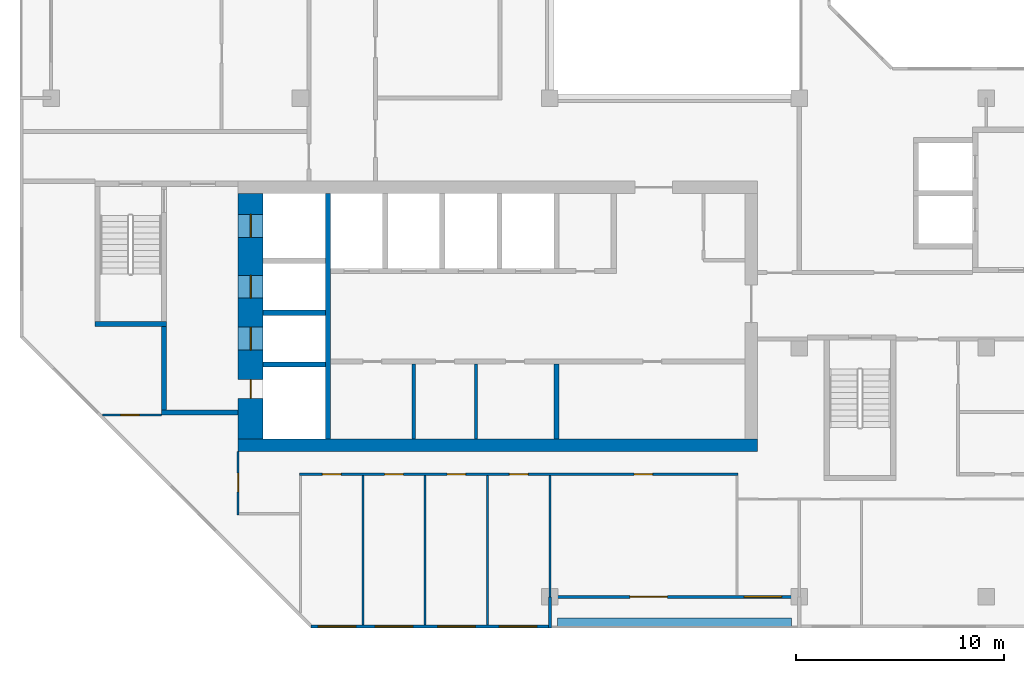
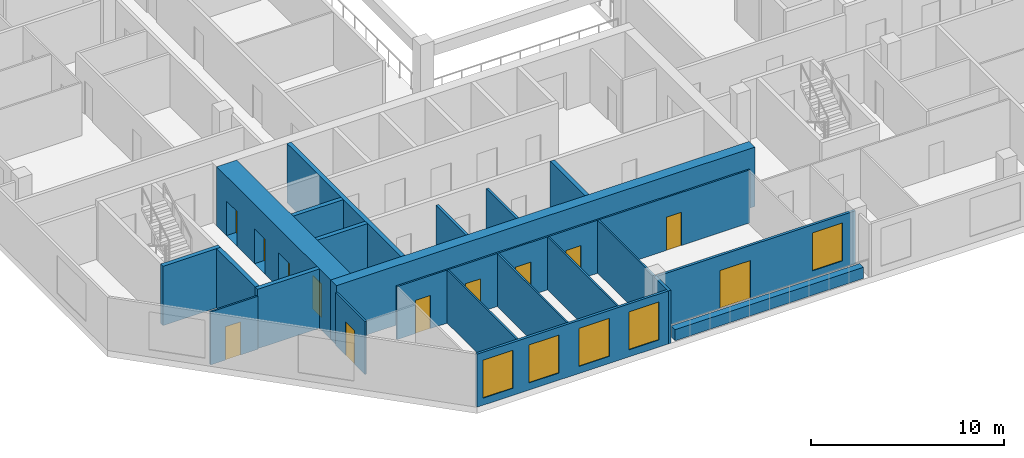
# One storey, part 4 of 13: 22 walls, 12 doors, 5 windows, 17 openings.
"""IFC4 building model written with IfcOpenShell, lengths in metres."""

from ifc_helpers import new_model, si_unit, direction, frame, frame_2d, origin, place, context, subcontext, project, spatial, rectangle, extrude, material, layer, layer_set, type_object, element, fill, save


model = new_model("IFC4")

# Units and contexts
model_context = context("Model", 3, precision=1e-05, world=origin(), true_north=direction((0.0, 1.0)))
body_context = subcontext(model_context, "Body", "Model", "MODEL_VIEW")
ifc_project = project(units=[si_unit("LENGTHUNIT", "METRE"), si_unit("AREAUNIT", "SQUARE_METRE"), si_unit("VOLUMEUNIT", "CUBIC_METRE"), si_unit("PLANEANGLEUNIT", "RADIAN"), si_unit("MASSUNIT", "GRAM", prefix="KILO")], contexts=[model_context])

# Site, building, storey
site_placement = place(None, origin())
site = spatial("IfcSite", under=ifc_project, at=site_placement, CompositionType="ELEMENT")
building_placement = place(site_placement, origin())
building = spatial("IfcBuilding", under=site, at=building_placement, Name="Chenar Terraces", CompositionType="ELEMENT")
storey_placement = place(building_placement, frame((0.0, 0.0, 277.14990234375)))
storey = spatial("IfcBuildingStorey", under=building, at=storey_placement, Name="L64", CompositionType="ELEMENT", Elevation=277.14990234375)

# Walls
ifc_material_1 = material(Name="Gypsum board on steel studs", Category="steel")
ifc_layer_1 = layer(ifc_material_1, 0.14990234375)
ifc_layer_set_1 = layer_set([ifc_layer_1], Name="Gypsum board on steel studs")
wall_type_1 = type_object("IfcWallType", Name="Core partition 150 gypsum board", PredefinedType="PARTITIONING", material=ifc_layer_set_1)
for number, where, z_axis, x_axis, name in (
    (1, (17.449951171875, 7.60009765625, 0.0), (0.0, 0.0, 1.0), (0.0, 1.0, 0.0), "Core partition CP1 freed bay wall"),
    (2, (20.449951171875, 7.60009765625, 0.0), (0.0, 0.0, 1.0), (0.0, 1.0, 0.0), "Core partition CP1 freed bay wall"),
):
    element("IfcWall", number, at=place(storey_placement, frame(where, z_axis=z_axis, x_axis=x_axis)), inside=storey, type_object=wall_type_1, Name=name, PredefinedType="PARTITIONING", context=body_context, shape_type="SweptSolid", body=[
        extrude(rectangle(XDim=3.599853515625, YDim=0.14990234375, at=frame_2d((1.7998046875, 0.0))), origin(), (0.0, 0.0, 1.0), 3.35009765625),
    ])

# Wall, openings, doors
ifc_material_2 = material(Name="Concrete C50/60", Category="concrete")
ifc_layer_2 = layer(ifc_material_2, 1.199951171875)
ifc_layer_set_2 = layer_set([ifc_layer_2], Name="Concrete C50/60")
wall_type_2 = type_object("IfcWallType", Name="Core wall 1200 Concrete C50/60", PredefinedType="SHEAR", material=ifc_layer_set_2)
wall_1_placement = place(storey_placement, frame((9.60009765625, 7.60009765625, 0.0), z_axis=(0.0, 0.0, 1.0), x_axis=(0.0, 1.0, 0.0)))
wall_1 = element("IfcWall", 3, at=wall_1_placement, inside=storey, type_object=wall_type_2, Name="Core wall W L64", PredefinedType="SHEAR", context=body_context, shape_type="SweptSolid", body=[
    extrude(rectangle(XDim=11.7998046875, YDim=1.199951171875, at=frame_2d((5.89990234375, 0.0))), origin(), (0.0, 0.0, 1.0), 3.75),
])
opening_1_placement = place(wall_1_placement, frame((4.27490234375, 0.0, 0.0)))
opening_1 = element("IfcOpeningElement", 4, at=opening_1_placement, cuts=wall_1, Name="Opening DL64-LD5", PredefinedType="OPENING", context=body_context, shape_type="SweptSolid", body=[
    extrude(rectangle(XDim=1.10009765625, YDim=2.199951171875, at=frame_2d((0.550048828125, 1.10009765625))), frame((0.0, 0.60986328125, 0.0), z_axis=(0.0, -1.0, 0.0), x_axis=(1.0, 0.0, 0.0)), (0.0, 0.0, 1.0), 1.219970703125),
])
opening_2_placement = place(wall_1_placement, frame((6.77490234375, 0.0, 0.0)))
opening_2 = element("IfcOpeningElement", 5, at=opening_2_placement, cuts=wall_1, Name="Opening DL64-LD6", PredefinedType="OPENING", context=body_context, shape_type="SweptSolid", body=[
    extrude(rectangle(XDim=1.10009765625, YDim=2.199951171875, at=frame_2d((0.550048828125, 1.10009765625))), frame((0.0, 0.60986328125, 0.0), z_axis=(0.0, -1.0, 0.0), x_axis=(1.0, 0.0, 0.0)), (0.0, 0.0, 1.0), 1.219970703125),
])
opening_3_placement = place(wall_1_placement, frame((9.699951171875, 0.0, 0.0)))
opening_3 = element("IfcOpeningElement", 6, at=opening_3_placement, cuts=wall_1, Name="Opening DL64-LD7", PredefinedType="OPENING", context=body_context, shape_type="SweptSolid", body=[
    extrude(rectangle(XDim=1.10009765625, YDim=2.199951171875, at=frame_2d((0.550048828125, 1.10009765625))), frame((0.0, 0.60986328125, 0.0), z_axis=(0.0, -1.0, 0.0), x_axis=(1.0, 0.0, 0.0)), (0.0, 0.0, 1.0), 1.219970703125),
])
opening_4_placement = place(wall_1_placement, frame((1.949951171875, 0.0, 0.0)))
opening_4 = element("IfcOpeningElement", 7, at=opening_4_placement, cuts=wall_1, Name="Opening DL64-C4", PredefinedType="OPENING", context=body_context, shape_type="SweptSolid", body=[
    extrude(rectangle(XDim=0.89990234375, YDim=2.10009765625, at=frame_2d((0.449951171875, 1.050048828125))), frame((0.0, 0.60986328125, 0.0), z_axis=(0.0, -1.0, 0.0), x_axis=(1.0, 0.0, 0.0)), (0.0, 0.0, 1.0), 1.219970703125),
])
ifc_material_3 = material(Name="Stainless steel", Category="steel")
door_type_1 = type_object("IfcDoorType", Name="Lift landing door 1100 x 2200 sliding", OperationType="DOUBLE_DOOR_SLIDING", PredefinedType="DOOR", material=ifc_material_3)
door_1_placement = place(opening_1_placement, origin())
door_1 = element("IfcDoor", 8, at=door_1_placement, inside=storey, type_object=door_type_1, Name="Landing door S1", OperationType="DOUBLE_DOOR_SLIDING", OverallHeight=2.199951171875, OverallWidth=1.10009765625, PredefinedType="DOOR", context=body_context, shape_type="SweptSolid", body=[
    extrude(rectangle(XDim=1.10009765625, YDim=2.199951171875, at=frame_2d((0.550048828125, 1.10009765625))), frame((0.0, 0.02490234375, 0.0), z_axis=(0.0, -1.0, 0.0), x_axis=(1.0, 0.0, 0.0)), (0.0, 0.0, 1.0), 0.050048828125),
])
fill(opening_1, door_1)
door_2_placement = place(opening_2_placement, origin())
door_2 = element("IfcDoor", 9, at=door_2_placement, inside=storey, type_object=door_type_1, Name="Landing door F1", OperationType="DOUBLE_DOOR_SLIDING", OverallHeight=2.199951171875, OverallWidth=1.10009765625, PredefinedType="DOOR", context=body_context, shape_type="SweptSolid", body=[
    extrude(rectangle(XDim=1.10009765625, YDim=2.199951171875, at=frame_2d((0.550048828125, 1.10009765625))), frame((0.0, 0.02490234375, 0.0), z_axis=(0.0, -1.0, 0.0), x_axis=(1.0, 0.0, 0.0)), (0.0, 0.0, 1.0), 0.050048828125),
])
fill(opening_2, door_2)
door_3_placement = place(opening_3_placement, origin())
door_3 = element("IfcDoor", 10, at=door_3_placement, inside=storey, type_object=door_type_1, Name="Landing door F2", OperationType="DOUBLE_DOOR_SLIDING", OverallHeight=2.199951171875, OverallWidth=1.10009765625, PredefinedType="DOOR", context=body_context, shape_type="SweptSolid", body=[
    extrude(rectangle(XDim=1.10009765625, YDim=2.199951171875, at=frame_2d((0.550048828125, 1.10009765625))), frame((0.0, 0.02490234375, 0.0), z_axis=(0.0, -1.0, 0.0), x_axis=(1.0, 0.0, 0.0)), (0.0, 0.0, 1.0), 0.050048828125),
])
fill(opening_3, door_3)
ifc_material_4 = material(Name="Steel-framed fire-resisting door leaf", Category="steel")
door_type_2 = type_object("IfcDoorType", Name="Riser fire door FD60 900 x 2100", OperationType="SINGLE_SWING_LEFT", PredefinedType="DOOR", material=ifc_material_4)
door_4_placement = place(opening_4_placement, frame((0.89990234375, 0.0, 0.0), z_axis=(0.0, 0.0, 1.0), x_axis=(-1.0, 0.0, 0.0)))
door_4 = element("IfcDoor", 11, at=door_4_placement, inside=storey, type_object=door_type_2, Name="Riser door DL64-C4", OperationType="SINGLE_SWING_LEFT", OverallHeight=2.10009765625, OverallWidth=0.89990234375, PredefinedType="DOOR", context=body_context, shape_type="SweptSolid", body=[
    extrude(rectangle(XDim=0.89990234375, YDim=2.10009765625, at=frame_2d((0.449951171875, 1.050048828125))), frame((0.0, 0.02490234375, 0.0), z_axis=(0.0, -1.0, 0.0), x_axis=(1.0, 0.0, 0.0)), (0.0, 0.0, 1.0), 0.050048828125),
])
fill(opening_4, door_4)

# Walls
ifc_material_5 = material(Name="Concrete C50/60", Category="concrete")
ifc_layer_3 = layer(ifc_material_5, 0.25)
ifc_layer_set_3 = layer_set([ifc_layer_3], Name="Concrete C50/60")
wall_type_3 = type_object("IfcWallType", Name="Core wall 250 Concrete C50/60", PredefinedType="SHEAR", material=ifc_layer_set_3)
wall_2_placement = place(storey_placement, frame((13.324951171875, 7.60009765625, 0.0), z_axis=(0.0, 0.0, 1.0), x_axis=(0.0, 1.0, 0.0)))
element("IfcWall", 12, at=wall_2_placement, inside=storey, type_object=wall_type_3, Name="Core wall WI L64", PredefinedType="SHEAR", context=body_context, shape_type="SweptSolid", body=[
    extrude(rectangle(XDim=11.7998046875, YDim=0.25, at=frame_2d((5.89990234375, 0.0))), origin(), (0.0, 0.0, 1.0), 3.75),
])
for number, where, z_axis, x_axis, name in (
    (13, (10.199951171875, 11.175048828125, 0.0), (0.0, 0.0, 1.0), (1.0, 0.0, 0.0), "Core wall HW0 L64"),
    (14, (10.199951171875, 13.675048828125, 0.0), (0.0, 0.0, 1.0), (1.0, 0.0, 0.0), "Core wall HW1 L64"),
):
    element("IfcWall", number, at=place(storey_placement, frame(where, z_axis=z_axis, x_axis=x_axis)), inside=storey, type_object=wall_type_3, Name=name, PredefinedType="SHEAR", context=body_context, shape_type="SweptSolid", body=[
        extrude(rectangle(XDim=3.0, YDim=0.25, at=frame_2d((1.5, 0.0))), origin(), (0.0, 0.0, 1.0), 3.75),
    ])
wall_3_placement = place(storey_placement, frame((24.324951171875, 7.60009765625, 0.0), z_axis=(0.0, 0.0, 1.0), x_axis=(0.0, 1.0, 0.0)))
element("IfcWall", 15, at=wall_3_placement, inside=storey, type_object=wall_type_3, Name="Core wall SS3 L64", PredefinedType="SHEAR", context=body_context, shape_type="SweptSolid", body=[
    extrude(rectangle(XDim=3.599853515625, YDim=0.25, at=frame_2d((1.7998046875, 0.0))), origin(), (0.0, 0.0, 1.0), 3.75),
])
wall_4_placement = place(storey_placement, frame((2.10009765625, 13.125, 0.0), z_axis=(0.0, 0.0, 1.0), x_axis=(1.0, 0.0, 0.0)))
element("IfcWall", 16, at=wall_4_placement, inside=storey, type_object=wall_type_3, Name="Core wall ST1_S L64", PredefinedType="SHEAR", context=body_context, shape_type="SweptSolid", body=[
    extrude(rectangle(XDim=3.449951171875, YDim=0.25, at=frame_2d((1.72509765625, 0.0))), origin(), (0.0, 0.0, 1.0), 3.75),
])
wall_5_placement = place(storey_placement, frame((5.300048828125, 8.875, 0.0), z_axis=(0.0, 0.0, 1.0), x_axis=(1.0, 0.0, 0.0)))
element("IfcWall", 17, at=wall_5_placement, inside=storey, type_object=wall_type_3, Name="Core wall FFL_S L64", PredefinedType="SHEAR", context=body_context, shape_type="SweptSolid", body=[
    extrude(rectangle(XDim=3.699951171875, YDim=0.25, at=frame_2d((1.85009765625, 0.0))), origin(), (0.0, 0.0, 1.0), 3.75),
])
wall_6_placement = place(storey_placement, frame((5.425048828125, 9.0, 0.0), z_axis=(0.0, 0.0, 1.0), x_axis=(0.0, 1.0, 0.0)))
element("IfcWall", 18, at=wall_6_placement, inside=storey, type_object=wall_type_3, Name="Core wall FFL_W L64", PredefinedType="SHEAR", context=body_context, shape_type="SweptSolid", body=[
    extrude(rectangle(XDim=4.0, YDim=0.25, at=frame_2d((2.0, 0.0))), origin(), (0.0, 0.0, 1.0), 3.75),
])
ifc_material_6 = material(Name="Concrete C50/60", Category="concrete")
ifc_layer_4 = layer(ifc_material_6, 0.60009765625)
ifc_layer_set_4 = layer_set([ifc_layer_4], Name="Concrete C50/60")
wall_type_4 = type_object("IfcWallType", Name="Core wall 600 Concrete C50/60", PredefinedType="SHEAR", material=ifc_layer_set_4)
wall_7_placement = place(storey_placement, frame((9.0, 7.300048828125, 0.0), z_axis=(0.0, 0.0, 1.0), x_axis=(1.0, 0.0, 0.0)))
element("IfcWall", 19, at=wall_7_placement, inside=storey, type_object=wall_type_4, Name="Core wall S L64", PredefinedType="SHEAR", context=body_context, shape_type="SweptSolid", body=[
    extrude(rectangle(XDim=25.0, YDim=0.60009765625, at=frame_2d((12.5, 0.0))), origin(), (0.0, 0.0, 1.0), 3.75),
])

# Wall, openings, windows
ifc_material_7 = material(Name="Aluminium framed glazing", Category="aluminium")
ifc_layer_5 = layer(ifc_material_7, 0.14990234375)
ifc_layer_set_5 = layer_set([ifc_layer_5], Name="Aluminium framed glazing")
wall_type_5 = type_object("IfcWallType", Name="Glazed flush facade wall 150", PredefinedType="SOLIDWALL", material=ifc_layer_set_5)
wall_8_placement = place(storey_placement, frame((12.5, -1.425048828125, 0.0), z_axis=(0.0, 0.0, 1.0), x_axis=(1.0, 0.0, 0.0)))
wall_8 = element("IfcWall", 20, at=wall_8_placement, inside=storey, type_object=wall_type_5, Name="Glazed flush facade wall", PredefinedType="SOLIDWALL", context=body_context, shape_type="SweptSolid", body=[
    extrude(rectangle(XDim=11.425048828125, YDim=0.14990234375, at=frame_2d((5.71240234375, 0.0))), origin(), (0.0, 0.0, 1.0), 3.35009765625),
])
opening_5_placement = place(wall_8_placement, frame((0.35009765625, 0.0, 0.449951171875)))
opening_5 = element("IfcOpeningElement", 21, at=opening_5_placement, cuts=wall_8, Name="Opening W180x240", PredefinedType="OPENING", context=body_context, shape_type="SweptSolid", body=[
    extrude(rectangle(XDim=1.800048828125, YDim=2.39990234375, at=frame_2d((0.89990234375, 1.199951171875))), frame((0.0, 0.0849609375, 0.0), z_axis=(0.0, -1.0, 0.0), x_axis=(1.0, 0.0, 0.0)), (0.0, 0.0, 1.0), 0.169921875),
])
opening_6_placement = place(wall_8_placement, frame((3.10009765625, 0.0, 0.449951171875)))
opening_6 = element("IfcOpeningElement", 22, at=opening_6_placement, cuts=wall_8, Name="Opening W180x240", PredefinedType="OPENING", context=body_context, shape_type="SweptSolid", body=[
    extrude(rectangle(XDim=1.800048828125, YDim=2.39990234375, at=frame_2d((0.89990234375, 1.199951171875))), frame((0.0, 0.0849609375, 0.0), z_axis=(0.0, -1.0, 0.0), x_axis=(1.0, 0.0, 0.0)), (0.0, 0.0, 1.0), 0.169921875),
])
opening_7_placement = place(wall_8_placement, frame((6.10009765625, 0.0, 0.449951171875)))
opening_7 = element("IfcOpeningElement", 23, at=opening_7_placement, cuts=wall_8, Name="Opening W180x240", PredefinedType="OPENING", context=body_context, shape_type="SweptSolid", body=[
    extrude(rectangle(XDim=1.800048828125, YDim=2.39990234375, at=frame_2d((0.89990234375, 1.199951171875))), frame((0.0, 0.0849609375, 0.0), z_axis=(0.0, -1.0, 0.0), x_axis=(1.0, 0.0, 0.0)), (0.0, 0.0, 1.0), 0.169921875),
])
opening_8_placement = place(wall_8_placement, frame((9.0625, 0.0, 0.449951171875)))
opening_8 = element("IfcOpeningElement", 24, at=opening_8_placement, cuts=wall_8, Name="Opening W180x240", PredefinedType="OPENING", context=body_context, shape_type="SweptSolid", body=[
    extrude(rectangle(XDim=1.800048828125, YDim=2.39990234375, at=frame_2d((0.89990234375, 1.199951171875))), frame((0.0, 0.0849609375, 0.0), z_axis=(0.0, -1.0, 0.0), x_axis=(1.0, 0.0, 0.0)), (0.0, 0.0, 1.0), 0.169921875),
])
ifc_material_8 = material(Name="Low emissivity double glazing, aluminium frame", Category="aluminium")
window_type = type_object("IfcWindowType", Name="Fixed light 1800 x 2400", PartitioningType="SINGLE_PANEL", PredefinedType="WINDOW", material=ifc_material_8)
window_1_placement = place(opening_5_placement, origin())
window_1 = element("IfcWindow", 25, at=window_1_placement, inside=storey, type_object=window_type, Name="Window", OverallHeight=2.39990234375, OverallWidth=1.800048828125, PartitioningType="SINGLE_PANEL", PredefinedType="WINDOW", context=body_context, shape_type="SweptSolid", body=[
    extrude(rectangle(XDim=1.800048828125, YDim=2.39990234375, at=frame_2d((0.89990234375, 1.199951171875))), frame((0.0, 0.030029296875, 0.0), z_axis=(0.0, -1.0, 0.0), x_axis=(1.0, 0.0, 0.0)), (0.0, 0.0, 1.0), 0.06005859375),
])
fill(opening_5, window_1)
window_2_placement = place(opening_6_placement, origin())
window_2 = element("IfcWindow", 26, at=window_2_placement, inside=storey, type_object=window_type, Name="Window", OverallHeight=2.39990234375, OverallWidth=1.800048828125, PartitioningType="SINGLE_PANEL", PredefinedType="WINDOW", context=body_context, shape_type="SweptSolid", body=[
    extrude(rectangle(XDim=1.800048828125, YDim=2.39990234375, at=frame_2d((0.89990234375, 1.199951171875))), frame((0.0, 0.030029296875, 0.0), z_axis=(0.0, -1.0, 0.0), x_axis=(1.0, 0.0, 0.0)), (0.0, 0.0, 1.0), 0.06005859375),
])
fill(opening_6, window_2)
window_3_placement = place(opening_7_placement, origin())
window_3 = element("IfcWindow", 27, at=window_3_placement, inside=storey, type_object=window_type, Name="Window", OverallHeight=2.39990234375, OverallWidth=1.800048828125, PartitioningType="SINGLE_PANEL", PredefinedType="WINDOW", context=body_context, shape_type="SweptSolid", body=[
    extrude(rectangle(XDim=1.800048828125, YDim=2.39990234375, at=frame_2d((0.89990234375, 1.199951171875))), frame((0.0, 0.030029296875, 0.0), z_axis=(0.0, -1.0, 0.0), x_axis=(1.0, 0.0, 0.0)), (0.0, 0.0, 1.0), 0.06005859375),
])
fill(opening_7, window_3)
window_4_placement = place(opening_8_placement, origin())
window_4 = element("IfcWindow", 28, at=window_4_placement, inside=storey, type_object=window_type, Name="Window", OverallHeight=2.39990234375, OverallWidth=1.800048828125, PartitioningType="SINGLE_PANEL", PredefinedType="WINDOW", context=body_context, shape_type="SweptSolid", body=[
    extrude(rectangle(XDim=1.800048828125, YDim=2.39990234375, at=frame_2d((0.89990234375, 1.199951171875))), frame((0.0, 0.030029296875, 0.0), z_axis=(0.0, -1.0, 0.0), x_axis=(1.0, 0.0, 0.0)), (0.0, 0.0, 1.0), 0.06005859375),
])
fill(opening_8, window_4)

# Wall, openings, window, door
ifc_material_9 = material(Name="Aluminium framed glazing", Category="aluminium")
ifc_layer_6 = layer(ifc_material_9, 0.14990234375)
ifc_layer_set_6 = layer_set([ifc_layer_6], Name="Aluminium framed glazing")
wall_type_6 = type_object("IfcWallType", Name="Glazed loggia back wall 150", PredefinedType="SOLIDWALL", material=ifc_layer_set_6)
wall_9_placement = place(storey_placement, frame((24.074951171875, 0.0, 0.0), z_axis=(0.0, 0.0, 1.0), x_axis=(1.0, 0.0, 0.0)))
wall_9 = element("IfcWall", 29, at=wall_9_placement, inside=storey, type_object=wall_type_6, Name="Glazed loggia back wall", PredefinedType="SOLIDWALL", context=body_context, shape_type="SweptSolid", body=[
    extrude(rectangle(XDim=11.85009765625, YDim=0.14990234375, at=frame_2d((5.925048828125, 0.0))), origin(), (0.0, 0.0, 1.0), 3.35009765625),
])
opening_9_placement = place(wall_9_placement, frame((3.77490234375, 0.0, 0.0)))
opening_9 = element("IfcOpeningElement", 30, at=opening_9_placement, cuts=wall_9, Name="Opening DL64-G4", PredefinedType="OPENING", context=body_context, shape_type="SweptSolid", body=[
    extrude(rectangle(XDim=1.800048828125, YDim=2.39990234375, at=frame_2d((0.89990234375, 1.199951171875))), frame((0.0, 0.0849609375, 0.0), z_axis=(0.0, -1.0, 0.0), x_axis=(1.0, 0.0, 0.0)), (0.0, 0.0, 1.0), 0.169921875),
])
opening_10_placement = place(wall_9_placement, frame((9.27490234375, 0.0, 0.449951171875)))
opening_10 = element("IfcOpeningElement", 31, at=opening_10_placement, cuts=wall_9, Name="Opening W180x240", PredefinedType="OPENING", context=body_context, shape_type="SweptSolid", body=[
    extrude(rectangle(XDim=1.800048828125, YDim=2.39990234375, at=frame_2d((0.89990234375, 1.199951171875))), frame((0.0, 0.0849609375, 0.0), z_axis=(0.0, -1.0, 0.0), x_axis=(1.0, 0.0, 0.0)), (0.0, 0.0, 1.0), 0.169921875),
])
window_5_placement = place(opening_10_placement, origin())
window_5 = element("IfcWindow", 32, at=window_5_placement, inside=storey, type_object=window_type, Name="Window", OverallHeight=2.39990234375, OverallWidth=1.800048828125, PartitioningType="SINGLE_PANEL", PredefinedType="WINDOW", context=body_context, shape_type="SweptSolid", body=[
    extrude(rectangle(XDim=1.800048828125, YDim=2.39990234375, at=frame_2d((0.89990234375, 1.199951171875))), frame((0.0, 0.030029296875, 0.0), z_axis=(0.0, -1.0, 0.0), x_axis=(1.0, 0.0, 0.0)), (0.0, 0.0, 1.0), 0.06005859375),
])
fill(opening_10, window_5)
ifc_material_10 = material(Name="Low emissivity double glazing, aluminium frame", Category="aluminium")
door_type_3 = type_object("IfcDoorType", Name="Loggia glazed double door 1800 x 2400", OperationType="DOUBLE_DOOR_SINGLE_SWING", PredefinedType="DOOR", material=ifc_material_10)
door_5_placement = place(opening_9_placement, frame((1.800048828125, 0.0, 0.0), z_axis=(0.0, 0.0, 1.0), x_axis=(-1.0, 0.0, 0.0)))
door_5 = element("IfcDoor", 33, at=door_5_placement, inside=storey, type_object=door_type_3, Name="Loggia glazed door", OperationType="DOUBLE_DOOR_SINGLE_SWING", OverallHeight=2.39990234375, OverallWidth=1.800048828125, PredefinedType="DOOR", context=body_context, shape_type="SweptSolid", body=[
    extrude(rectangle(XDim=1.800048828125, YDim=2.39990234375, at=frame_2d((0.89990234375, 1.199951171875))), frame((0.0, 0.02490234375, 0.0), z_axis=(0.0, -1.0, 0.0), x_axis=(1.0, 0.0, 0.0)), (0.0, 0.0, 1.0), 0.050048828125),
])
fill(opening_9, door_5)

# Wall, opening, door
ifc_material_11 = material(Name="Gypsum board on steel studs", Category="steel")
ifc_layer_7 = layer(ifc_material_11, 0.10009765625)
ifc_layer_set_7 = layer_set([ifc_layer_7], Name="Gypsum board on steel studs")
wall_type_7 = type_object("IfcWallType", Name="Gypsum partition 100", PredefinedType="PARTITIONING", material=ifc_layer_set_7)
wall_10_placement = place(storey_placement, frame((2.4609375, 8.75, 0.0), z_axis=(0.0, 0.0, 1.0), x_axis=(1.0, 0.0, 0.0)))
wall_10 = element("IfcWall", 34, at=wall_10_placement, inside=storey, type_object=wall_type_7, Name="Partition L64-010", PredefinedType="PARTITIONING", context=body_context, shape_type="SweptSolid", body=[
    extrude(rectangle(XDim=2.839111328125, YDim=0.10009765625, at=frame_2d((1.41943359375, 0.0))), origin(), (0.0, 0.0, 1.0), 3.35009765625),
])
opening_11_placement = place(wall_10_placement, frame((0.888916015625, 0.0, 0.0)))
opening_11 = element("IfcOpeningElement", 35, at=opening_11_placement, cuts=wall_10, Name="Opening DL64-42", PredefinedType="OPENING", context=body_context, shape_type="SweptSolid", body=[
    extrude(rectangle(XDim=0.89990234375, YDim=2.10009765625, at=frame_2d((0.449951171875, 1.050048828125))), frame((0.0, 0.06005859375, 0.0), z_axis=(0.0, -1.0, 0.0), x_axis=(1.0, 0.0, 0.0)), (0.0, 0.0, 1.0), 0.1201171875),
])
ifc_material_12 = material(Name="Veneered timber door leaf", Category="wood")
door_type_4 = type_object("IfcDoorType", Name="Door 900 x 2100", OperationType="SINGLE_SWING_LEFT", PredefinedType="DOOR", material=ifc_material_12)
door_6_placement = place(opening_11_placement, frame((0.89990234375, 0.0, 0.0), z_axis=(0.0, 0.0, 1.0), x_axis=(-1.0, 0.0, 0.0)))
door_6 = element("IfcDoor", 36, at=door_6_placement, inside=storey, type_object=door_type_4, Name="Door DL64-42", OperationType="SINGLE_SWING_RIGHT", OverallHeight=2.10009765625, OverallWidth=0.89990234375, PredefinedType="DOOR", context=body_context, shape_type="SweptSolid", body=[
    extrude(rectangle(XDim=0.89990234375, YDim=2.10009765625, at=frame_2d((0.449951171875, 1.050048828125))), frame((0.0, 0.02490234375, 0.0), z_axis=(0.0, -1.0, 0.0), x_axis=(1.0, 0.0, 0.0)), (0.0, 0.0, 1.0), 0.050048828125),
])
fill(opening_11, door_6)

wall_11_placement = place(storey_placement, frame((9.0, 3.949951171875, 0.0), z_axis=(0.0, 0.0, 1.0), x_axis=(0.0, 1.0, 0.0)))
wall_11 = element("IfcWall", 37, at=wall_11_placement, inside=storey, type_object=wall_type_7, Name="Partition L64-024", PredefinedType="PARTITIONING", context=body_context, shape_type="SweptSolid", body=[
    extrude(rectangle(XDim=3.050048828125, YDim=0.10009765625, at=frame_2d((1.52490234375, 0.0))), origin(), (0.0, 0.0, 1.0), 3.35009765625),
])
opening_12_placement = place(wall_11_placement, frame((1.10009765625, 0.0, 0.0)))
opening_12 = element("IfcOpeningElement", 38, at=opening_12_placement, cuts=wall_11, Name="Opening DL64-41", PredefinedType="OPENING", context=body_context, shape_type="SweptSolid", body=[
    extrude(rectangle(XDim=0.89990234375, YDim=2.10009765625, at=frame_2d((0.449951171875, 1.050048828125))), frame((0.0, 0.06005859375, 0.0), z_axis=(0.0, -1.0, 0.0), x_axis=(1.0, 0.0, 0.0)), (0.0, 0.0, 1.0), 0.1201171875),
])
door_7_placement = place(opening_12_placement, origin())
door_7 = element("IfcDoor", 39, at=door_7_placement, inside=storey, type_object=door_type_4, Name="Door DL64-41", OperationType="SINGLE_SWING_LEFT", OverallHeight=2.10009765625, OverallWidth=0.89990234375, PredefinedType="DOOR", context=body_context, shape_type="SweptSolid", body=[
    extrude(rectangle(XDim=0.89990234375, YDim=2.10009765625, at=frame_2d((0.449951171875, 1.050048828125))), frame((0.0, 0.02490234375, 0.0), z_axis=(0.0, -1.0, 0.0), x_axis=(1.0, 0.0, 0.0)), (0.0, 0.0, 1.0), 0.050048828125),
])
fill(opening_12, door_7)

# Wall, openings, doors
wall_12_placement = place(storey_placement, frame((11.949951171875, 5.89990234375, 0.0), z_axis=(0.0, 0.0, 1.0), x_axis=(1.0, 0.0, 0.0)))
wall_12 = element("IfcWall", 40, at=wall_12_placement, inside=storey, type_object=wall_type_7, Name="Partition L64-026", PredefinedType="PARTITIONING", context=body_context, shape_type="SweptSolid", body=[
    extrude(rectangle(XDim=21.10009765625, YDim=0.10009765625, at=frame_2d((10.550048828125, 0.0))), origin(), (0.0, 0.0, 1.0), 3.35009765625),
])
opening_13_placement = place(wall_12_placement, frame((1.10009765625, 0.0, 0.0)))
opening_13 = element("IfcOpeningElement", 41, at=opening_13_placement, cuts=wall_12, Name="Opening DL64-35", PredefinedType="OPENING", context=body_context, shape_type="SweptSolid", body=[
    extrude(rectangle(XDim=0.89990234375, YDim=2.10009765625, at=frame_2d((0.449951171875, 1.050048828125))), frame((0.0, 0.06005859375, 0.0), z_axis=(0.0, -1.0, 0.0), x_axis=(1.0, 0.0, 0.0)), (0.0, 0.0, 1.0), 0.1201171875),
])
opening_14_placement = place(wall_12_placement, frame((4.10009765625, 0.0, 0.0)))
opening_14 = element("IfcOpeningElement", 42, at=opening_14_placement, cuts=wall_12, Name="Opening DL64-36", PredefinedType="OPENING", context=body_context, shape_type="SweptSolid", body=[
    extrude(rectangle(XDim=0.89990234375, YDim=2.10009765625, at=frame_2d((0.449951171875, 1.050048828125))), frame((0.0, 0.06005859375, 0.0), z_axis=(0.0, -1.0, 0.0), x_axis=(1.0, 0.0, 0.0)), (0.0, 0.0, 1.0), 0.1201171875),
])
opening_15_placement = place(wall_12_placement, frame((7.10009765625, 0.0, 0.0)))
opening_15 = element("IfcOpeningElement", 43, at=opening_15_placement, cuts=wall_12, Name="Opening DL64-37", PredefinedType="OPENING", context=body_context, shape_type="SweptSolid", body=[
    extrude(rectangle(XDim=0.89990234375, YDim=2.10009765625, at=frame_2d((0.449951171875, 1.050048828125))), frame((0.0, 0.06005859375, 0.0), z_axis=(0.0, -1.0, 0.0), x_axis=(1.0, 0.0, 0.0)), (0.0, 0.0, 1.0), 0.1201171875),
])
opening_16_placement = place(wall_12_placement, frame((10.10009765625, 0.0, 0.0)))
opening_16 = element("IfcOpeningElement", 44, at=opening_16_placement, cuts=wall_12, Name="Opening DL64-38", PredefinedType="OPENING", context=body_context, shape_type="SweptSolid", body=[
    extrude(rectangle(XDim=0.89990234375, YDim=2.10009765625, at=frame_2d((0.449951171875, 1.050048828125))), frame((0.0, 0.06005859375, 0.0), z_axis=(0.0, -1.0, 0.0), x_axis=(1.0, 0.0, 0.0)), (0.0, 0.0, 1.0), 0.1201171875),
])
opening_17_placement = place(wall_12_placement, frame((16.10009765625, 0.0, 0.0)))
opening_17 = element("IfcOpeningElement", 45, at=opening_17_placement, cuts=wall_12, Name="Opening DL64-45", PredefinedType="OPENING", context=body_context, shape_type="SweptSolid", body=[
    extrude(rectangle(XDim=0.89990234375, YDim=2.10009765625, at=frame_2d((0.449951171875, 1.050048828125))), frame((0.0, 0.06005859375, 0.0), z_axis=(0.0, -1.0, 0.0), x_axis=(1.0, 0.0, 0.0)), (0.0, 0.0, 1.0), 0.1201171875),
])
door_8_placement = place(opening_13_placement, frame((0.89990234375, 0.0, 0.0), z_axis=(0.0, 0.0, 1.0), x_axis=(-1.0, 0.0, 0.0)))
door_8 = element("IfcDoor", 46, at=door_8_placement, inside=storey, type_object=door_type_4, Name="Door DL64-35", OperationType="SINGLE_SWING_RIGHT", OverallHeight=2.10009765625, OverallWidth=0.89990234375, PredefinedType="DOOR", context=body_context, shape_type="SweptSolid", body=[
    extrude(rectangle(XDim=0.89990234375, YDim=2.10009765625, at=frame_2d((0.449951171875, 1.050048828125))), frame((0.0, 0.02490234375, 0.0), z_axis=(0.0, -1.0, 0.0), x_axis=(1.0, 0.0, 0.0)), (0.0, 0.0, 1.0), 0.050048828125),
])
fill(opening_13, door_8)
door_9_placement = place(opening_14_placement, frame((0.89990234375, 0.0, 0.0), z_axis=(0.0, 0.0, 1.0), x_axis=(-1.0, 0.0, 0.0)))
door_9 = element("IfcDoor", 47, at=door_9_placement, inside=storey, type_object=door_type_4, Name="Door DL64-36", OperationType="SINGLE_SWING_RIGHT", OverallHeight=2.10009765625, OverallWidth=0.89990234375, PredefinedType="DOOR", context=body_context, shape_type="SweptSolid", body=[
    extrude(rectangle(XDim=0.89990234375, YDim=2.10009765625, at=frame_2d((0.449951171875, 1.050048828125))), frame((0.0, 0.02490234375, 0.0), z_axis=(0.0, -1.0, 0.0), x_axis=(1.0, 0.0, 0.0)), (0.0, 0.0, 1.0), 0.050048828125),
])
fill(opening_14, door_9)
door_10_placement = place(opening_15_placement, frame((0.89990234375, 0.0, 0.0), z_axis=(0.0, 0.0, 1.0), x_axis=(-1.0, 0.0, 0.0)))
door_10 = element("IfcDoor", 48, at=door_10_placement, inside=storey, type_object=door_type_4, Name="Door DL64-37", OperationType="SINGLE_SWING_RIGHT", OverallHeight=2.10009765625, OverallWidth=0.89990234375, PredefinedType="DOOR", context=body_context, shape_type="SweptSolid", body=[
    extrude(rectangle(XDim=0.89990234375, YDim=2.10009765625, at=frame_2d((0.449951171875, 1.050048828125))), frame((0.0, 0.02490234375, 0.0), z_axis=(0.0, -1.0, 0.0), x_axis=(1.0, 0.0, 0.0)), (0.0, 0.0, 1.0), 0.050048828125),
])
fill(opening_15, door_10)
door_11_placement = place(opening_16_placement, frame((0.89990234375, 0.0, 0.0), z_axis=(0.0, 0.0, 1.0), x_axis=(-1.0, 0.0, 0.0)))
door_11 = element("IfcDoor", 49, at=door_11_placement, inside=storey, type_object=door_type_4, Name="Door DL64-38", OperationType="SINGLE_SWING_RIGHT", OverallHeight=2.10009765625, OverallWidth=0.89990234375, PredefinedType="DOOR", context=body_context, shape_type="SweptSolid", body=[
    extrude(rectangle(XDim=0.89990234375, YDim=2.10009765625, at=frame_2d((0.449951171875, 1.050048828125))), frame((0.0, 0.02490234375, 0.0), z_axis=(0.0, -1.0, 0.0), x_axis=(1.0, 0.0, 0.0)), (0.0, 0.0, 1.0), 0.050048828125),
])
fill(opening_16, door_11)
door_12_placement = place(opening_17_placement, frame((0.89990234375, 0.0, 0.0), z_axis=(0.0, 0.0, 1.0), x_axis=(-1.0, 0.0, 0.0)))
door_12 = element("IfcDoor", 50, at=door_12_placement, inside=storey, type_object=door_type_4, Name="Door DL64-45", OperationType="SINGLE_SWING_RIGHT", OverallHeight=2.10009765625, OverallWidth=0.89990234375, PredefinedType="DOOR", context=body_context, shape_type="SweptSolid", body=[
    extrude(rectangle(XDim=0.89990234375, YDim=2.10009765625, at=frame_2d((0.449951171875, 1.050048828125))), frame((0.0, 0.02490234375, 0.0), z_axis=(0.0, -1.0, 0.0), x_axis=(1.0, 0.0, 0.0)), (0.0, 0.0, 1.0), 0.050048828125),
])
fill(opening_17, door_12)

# Walls
for number, where, z_axis, x_axis, name in (
    (51, (15.0, -1.35107421875, 0.0), (0.0, 0.0, 1.0), (0.0, 1.0, 0.0), "Partition L64-029"),
    (52, (18.0, -1.35107421875, 0.0), (0.0, 0.0, 1.0), (0.0, 1.0, 0.0), "Partition L64-038"),
    (53, (21.0, -1.35107421875, 0.0), (0.0, 0.0, 1.0), (0.0, 1.0, 0.0), "Partition L64-042"),
):
    element("IfcWall", number, at=place(storey_placement, frame(where, z_axis=z_axis, x_axis=x_axis)), inside=storey, type_object=wall_type_7, Name=name, PredefinedType="PARTITIONING", context=body_context, shape_type="SweptSolid", body=[
        extrude(rectangle(XDim=7.201171875, YDim=0.10009765625, at=frame_2d((3.6005859375, 0.0))), origin(), (0.0, 0.0, 1.0), 3.35009765625),
    ])
wall_13_placement = place(storey_placement, frame((24.0, 0.0, 0.0), z_axis=(0.0, 0.0, 1.0), x_axis=(0.0, 1.0, 0.0)))
element("IfcWall", 54, at=wall_13_placement, inside=storey, type_object=wall_type_7, Name="Partition L64-044", PredefinedType="PARTITIONING", context=body_context, shape_type="SweptSolid", body=[
    extrude(rectangle(XDim=5.85009765625, YDim=0.10009765625, at=frame_2d((2.925048828125, 0.0))), origin(), (0.0, 0.0, 1.0), 3.35009765625),
])
ifc_material_13 = material(Name="Terracotta cladding on insulated backing", Category="masonry")
ifc_layer_8 = layer(ifc_material_13, 0.14990234375)
ifc_layer_set_8 = layer_set([ifc_layer_8], Name="Terracotta cladding on insulated backing")
wall_type_8 = type_object("IfcWallType", Name="Loggia return wall 150", PredefinedType="SOLIDWALL", material=ifc_layer_set_8)
wall_14_placement = place(storey_placement, frame((24.0, -1.5, 0.0), z_axis=(0.0, 0.0, 1.0), x_axis=(0.0, 1.0, 0.0)))
element("IfcWall", 55, at=wall_14_placement, inside=storey, type_object=wall_type_8, Name="Loggia return wall", PredefinedType="SOLIDWALL", context=body_context, shape_type="SweptSolid", body=[
    extrude(rectangle(XDim=1.5, YDim=0.14990234375, at=frame_2d((0.75, 0.0))), origin(), (0.0, 0.0, 1.0), 3.35009765625),
])
ifc_material_14 = material(Name="GRP planter trough")
ifc_layer_9 = layer(ifc_material_14, 0.39990234375)
ifc_layer_set_9 = layer_set([ifc_layer_9], Name="GRP planter trough")
wall_type_9 = type_object("IfcWallType", Name="Vertical greenery planter 400", PredefinedType="SOLIDWALL", material=ifc_layer_set_9)
wall_15_placement = place(storey_placement, frame((24.375, -1.22900390625, 0.0), z_axis=(0.0, 0.0, 1.0), x_axis=(1.0, 0.0, 0.0)))
element("IfcWall", 56, at=wall_15_placement, inside=storey, type_object=wall_type_9, Name="Vertical greenery planter", PredefinedType="SOLIDWALL", context=body_context, shape_type="SweptSolid", body=[
    extrude(rectangle(XDim=11.25, YDim=0.39990234375, at=frame_2d((5.625, 0.0))), origin(), (0.0, 0.0, 1.0), 0.7001953125),
])

save(model, "model.ifc")
